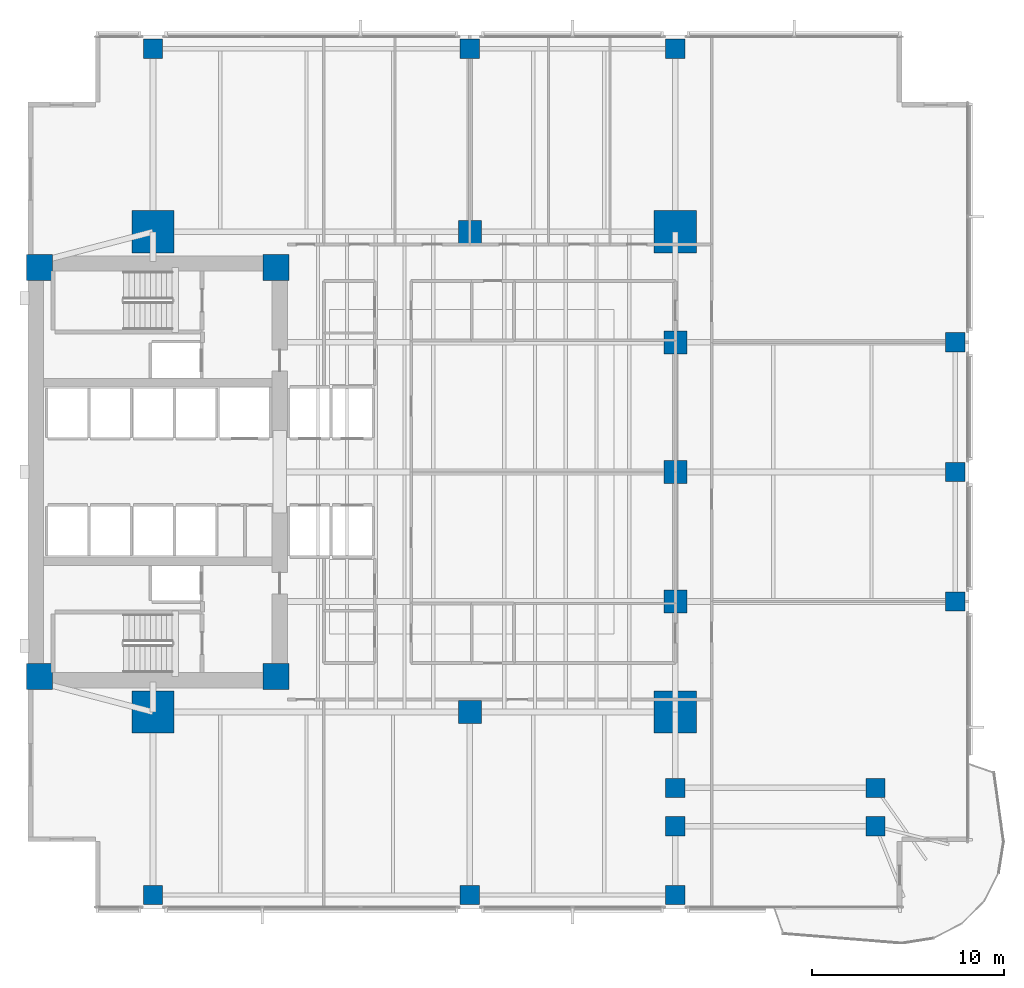
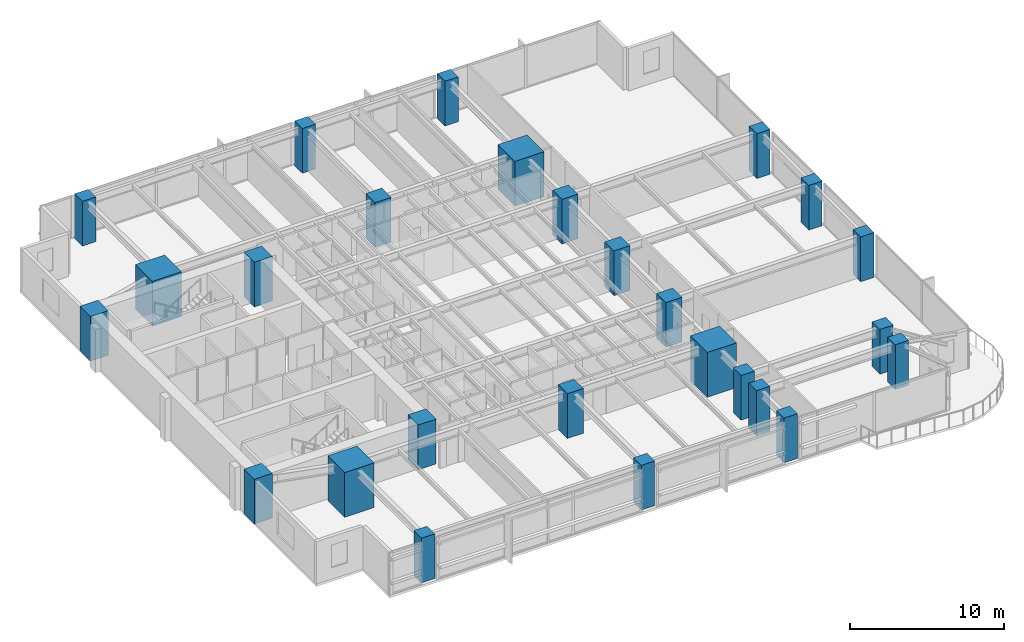
# One storey, part 1 of 15: 26 columns.
"""IFC4 building model written with IfcOpenShell, lengths in metres."""

from ifc_helpers import new_model, si_unit, direction, frame, origin, origin_2d, place, context, subcontext, project, spatial, rectangle, extrude, material, material_profile, profile_set, type_object, element, save


model = new_model("IFC4")

# Units and contexts
model_context = context("Model", 3, precision=1e-05, world=origin(), true_north=direction((0.0, 1.0)))
body_context = subcontext(model_context, "Body", "Model", "MODEL_VIEW")
ifc_project = project(units=[si_unit("LENGTHUNIT", "METRE"), si_unit("AREAUNIT", "SQUARE_METRE"), si_unit("VOLUMEUNIT", "CUBIC_METRE"), si_unit("PLANEANGLEUNIT", "RADIAN"), si_unit("MASSUNIT", "GRAM", prefix="KILO")], contexts=[model_context])

# Site, building, storey
site_placement = place(None, origin())
site = spatial("IfcSite", under=ifc_project, at=site_placement, CompositionType="ELEMENT")
building_placement = place(site_placement, origin())
building = spatial("IfcBuilding", under=site, at=building_placement, Name="Kinhvarn Gate Tower", CompositionType="ELEMENT")
storey_placement = place(building_placement, frame((0.0, 0.0, 50.449951171875)))
storey = spatial("IfcBuildingStorey", under=building, at=storey_placement, Name="L12", CompositionType="ELEMENT", Elevation=50.449951171875)

# Columns
ifc_material_1 = material(Name="Concrete C70/85", Category="concrete")
ifc_material_profile_1 = material_profile(ifc_material_1, rectangle(XDim=2.199951171875, YDim=2.199951171875, at=origin_2d()), Name="RC 2200x2200")
ifc_profile_set_1 = profile_set([ifc_material_profile_1], Name="Concrete C70/85")
column_type_1 = type_object("IfcColumnType", Name="COL-MC-2200", PredefinedType="COLUMN", material=ifc_profile_set_1)
for number, where, z_axis, x_axis, name in (
    (1, (11.0, 12.75, 0.0), (0.0, 0.0, 1.0), (1.0, 0.0, 0.0), "Column MC1-L12 (MC-22)"),
    (2, (11.0, 37.75, 0.0), (0.0, 0.0, 1.0), (1.0, 0.0, 0.0), "Column MC4-L12 (MC-22)"),
    (3, (38.199951171875, 12.75, 0.0), (0.0, 0.0, 1.0), (1.0, 0.0, 0.0), "Column MC2-L12 (MC-22)"),
    (4, (38.199951171875, 37.75, 0.0), (0.0, 0.0, 1.0), (1.0, 0.0, 0.0), "Column MC3-L12 (MC-22)"),
):
    element("IfcColumn", number, at=place(storey_placement, frame(where, z_axis=z_axis, x_axis=x_axis)), inside=storey, type_object=column_type_1, Name=name, PredefinedType="COLUMN", context=body_context, shape_type="SweptSolid", body=[
        extrude(rectangle(XDim=2.199951171875, YDim=2.199951171875, at=origin_2d()), origin(), (0.0, 0.0, 1.0), 3.550048828125),
    ])
ifc_material_2 = material(Name="Concrete C60/75", Category="concrete")
ifc_material_profile_2 = material_profile(ifc_material_2, rectangle(XDim=1.0, YDim=1.0, at=origin_2d()), Name="RC 1000x1000")
ifc_profile_set_2 = profile_set([ifc_material_profile_2], Name="Concrete C60/75")
column_type_2 = type_object("IfcColumnType", Name="COL-RC-1000", PredefinedType="COLUMN", material=ifc_profile_set_2)
for number, where, z_axis, x_axis, name in (
    (5, (48.6201171875, 6.800048828125, 0.0), (0.0, 0.0, 1.0), (1.0, 0.0, 0.0), "Column CS-SE1-L12 (C-100)"),
    (6, (38.199951171875, 6.800048828125, 0.0), (0.0, 0.0, 1.0), (1.0, 0.0, 0.0), "Column CS-ANC68-L12 (C-100)"),
    (7, (38.199951171875, 8.800048828125, 0.0), (0.0, 0.0, 1.0), (1.0, 0.0, 0.0), "Column CS-ANC88-L12 (C-100)"),
    (8, (48.6201171875, 8.800048828125, 0.0), (0.0, 0.0, 1.0), (1.0, 0.0, 0.0), "Column CS-SE1B-L12 (C-100)"),
    (9, (52.780029296875, 18.5, 0.0), (0.0, 0.0, 1.0), (1.0, 0.0, 0.0), "Column CE-1-L12 (C-100)"),
    (10, (52.780029296875, 25.25, 0.0), (0.0, 0.0, 1.0), (1.0, 0.0, 0.0), "Column CE-2-L12 (C-100)"),
    (11, (52.780029296875, 32.0, 0.0), (0.0, 0.0, 1.0), (1.0, 0.0, 0.0), "Column CE-3-L12 (C-100)"),
    (12, (11.0, 3.219970703125, 0.0), (0.0, 0.0, 1.0), (1.0, 0.0, 0.0), "Column CS-0-L12 (C-100)"),
    (13, (27.5, 3.219970703125, 0.0), (0.0, 0.0, 1.0), (1.0, 0.0, 0.0), "Column CS-1-L12 (C-100)"),
    (14, (38.199951171875, 3.219970703125, 0.0), (0.0, 0.0, 1.0), (1.0, 0.0, 0.0), "Column CS-2-L12 (C-100)"),
    (15, (11.0, 47.280029296875, 0.0), (0.0, 0.0, 1.0), (1.0, 0.0, 0.0), "Column CN-0-L12 (C-100)"),
    (16, (27.5, 47.280029296875, 0.0), (0.0, 0.0, 1.0), (1.0, 0.0, 0.0), "Column CN-1-L12 (C-100)"),
    (17, (38.199951171875, 47.280029296875, 0.0), (0.0, 0.0, 1.0), (1.0, 0.0, 0.0), "Column CN-2-L12 (C-100)"),
):
    element("IfcColumn", number, at=place(storey_placement, frame(where, z_axis=z_axis, x_axis=x_axis)), inside=storey, type_object=column_type_2, Name=name, PredefinedType="COLUMN", context=body_context, shape_type="SweptSolid", body=[
        extrude(rectangle(XDim=1.0, YDim=1.0, at=origin_2d()), origin(), (0.0, 0.0, 1.0), 3.550048828125),
    ])
ifc_material_profile_3 = material_profile(ifc_material_2, rectangle(XDim=1.199951171875, YDim=1.199951171875, at=origin_2d()), Name="RC 1200x1200")
ifc_profile_set_3 = profile_set([ifc_material_profile_3], Name="Concrete C60/75")
column_type_3 = type_object("IfcColumnType", Name="COL-RC-1200", PredefinedType="COLUMN", material=ifc_profile_set_3)
for number, where, z_axis, x_axis, name in (
    (18, (27.5, 12.75, 0.0), (0.0, 0.0, 1.0), (1.0, 0.0, 0.0), "Column SP27-S-L12 (C-120)"),
    (19, (27.5, 37.75, 0.0), (0.0, 0.0, 1.0), (1.0, 0.0, 0.0), "Column SP27-N-L12 (C-120)"),
    (20, (38.199951171875, 18.5, 0.0), (0.0, 0.0, 1.0), (1.0, 0.0, 0.0), "Column SP38-E1-L12 (C-120)"),
    (21, (38.199951171875, 25.25, 0.0), (0.0, 0.0, 1.0), (1.0, 0.0, 0.0), "Column SP38-E2-L12 (C-120)"),
    (22, (38.199951171875, 32.0, 0.0), (0.0, 0.0, 1.0), (1.0, 0.0, 0.0), "Column SP38-E3-L12 (C-120)"),
):
    element("IfcColumn", number, at=place(storey_placement, frame(where, z_axis=z_axis, x_axis=x_axis)), inside=storey, type_object=column_type_3, Name=name, PredefinedType="COLUMN", context=body_context, shape_type="SweptSolid", body=[
        extrude(rectangle(XDim=1.199951171875, YDim=1.199951171875, at=origin_2d()), origin(), (0.0, 0.0, 1.0), 3.550048828125),
    ])
ifc_material_profile_4 = material_profile(ifc_material_1, rectangle(XDim=1.35009765625, YDim=1.35009765625, at=origin_2d()), Name="RC 1350x1350")
ifc_profile_set_4 = profile_set([ifc_material_profile_4], Name="Concrete C70/85")
column_type_4 = type_object("IfcColumnType", Name="PIL-RC-1350", PredefinedType="PILASTER", material=ifc_profile_set_4)
for number, where, z_axis, x_axis, name in (
    (23, (5.10009765625, 14.60009765625, 0.0), (0.0, 0.0, 1.0), (1.0, 0.0, 0.0), "Column CC-SW-L12 (CP-135)"),
    (24, (5.10009765625, 35.89990234375, 0.0), (0.0, 0.0, 1.0), (1.0, 0.0, 0.0), "Column CC-NW-L12 (CP-135)"),
    (25, (17.39990234375, 14.60009765625, 0.0), (0.0, 0.0, 1.0), (1.0, 0.0, 0.0), "Column CC-SE-L12 (CP-135)"),
    (26, (17.39990234375, 35.89990234375, 0.0), (0.0, 0.0, 1.0), (1.0, 0.0, 0.0), "Column CC-NE-L12 (CP-135)"),
):
    element("IfcColumn", number, at=place(storey_placement, frame(where, z_axis=z_axis, x_axis=x_axis)), inside=storey, type_object=column_type_4, Name=name, PredefinedType="PILASTER", context=body_context, shape_type="SweptSolid", body=[
        extrude(rectangle(XDim=1.35009765625, YDim=1.35009765625, at=origin_2d()), origin(), (0.0, 0.0, 1.0), 3.550048828125),
    ])

save(model, "model.ifc")
